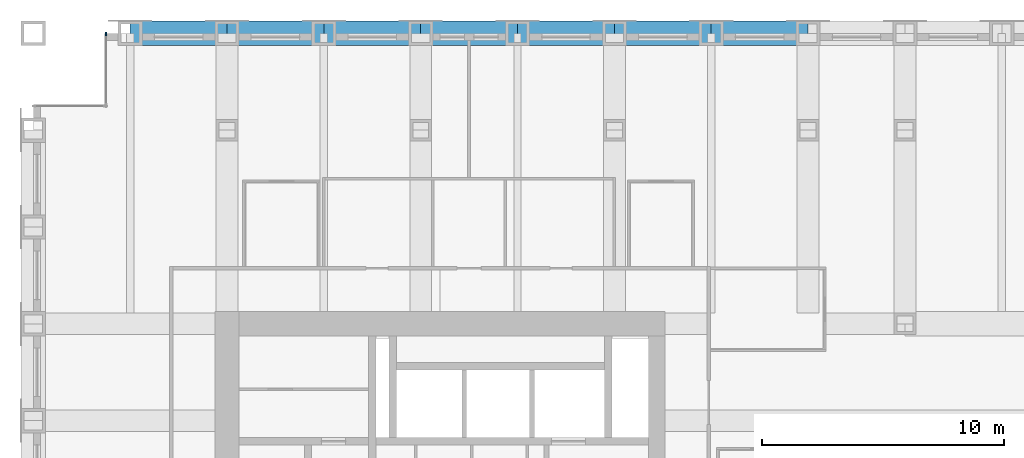
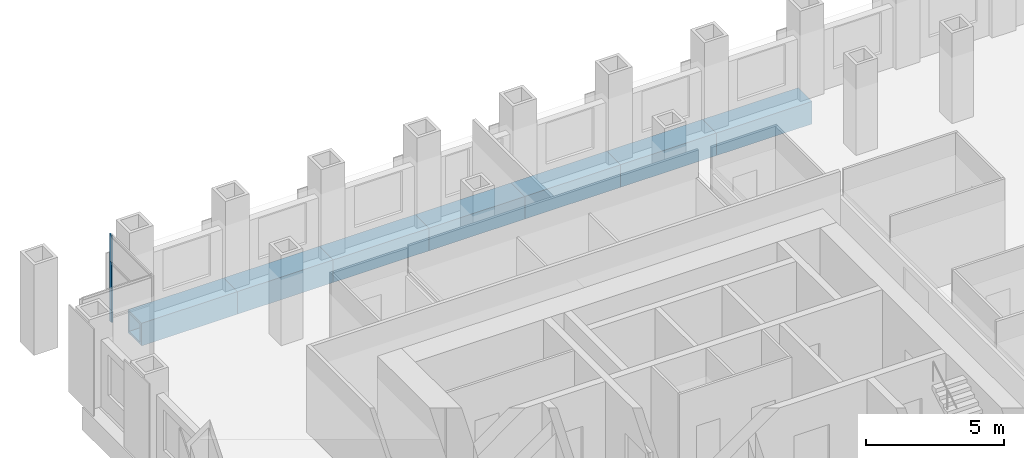
# One storey, part 8 of 17: 7 beams, 2 members, 2 elements without a shape of their own.
"""IFC4 building model written with IfcOpenShell, lengths in metres."""

from ifc_helpers import new_model, si_unit, direction, frame, origin, origin_2d, place, context, subcontext, project, spatial, rectangle, hollow_rectangle, extrude, material, material_profile, profile_set, type_object, element, aggregate, save


model = new_model("IFC4")

# Units and contexts
model_context = context("Model", 3, precision=1e-05, world=origin(), true_north=direction((0.0, 1.0)))
body_context = subcontext(model_context, "Body", "Model", "MODEL_VIEW")
ifc_project = project(units=[si_unit("LENGTHUNIT", "METRE"), si_unit("AREAUNIT", "SQUARE_METRE"), si_unit("VOLUMEUNIT", "CUBIC_METRE"), si_unit("PLANEANGLEUNIT", "RADIAN"), si_unit("MASSUNIT", "GRAM", prefix="KILO")], contexts=[model_context])

# Site, building, storey
site_placement = place(None, origin())
site = spatial("IfcSite", under=ifc_project, at=site_placement, CompositionType="ELEMENT")
building_placement = place(site_placement, origin())
building = spatial("IfcBuilding", under=site, at=building_placement, Name="Rimbunsela Tower", CompositionType="ELEMENT")
storey_placement = place(building_placement, frame((0.0, 0.0, 101.39990234375)))
storey = spatial("IfcBuildingStorey", under=building, at=storey_placement, Name="L24", CompositionType="ELEMENT", Elevation=101.39990234375)

# Beams
ifc_material_1 = material(Name="Steel BJ 55 (fy 410 MPa)", Category="steel")
ifc_material_profile_1 = material_profile(ifc_material_1, hollow_rectangle(XDim=1.0, YDim=1.0, WallThickness=0.10009765625, at=origin_2d()), Name="BOX 1000x1000x100")
ifc_profile_set_1 = profile_set([ifc_material_profile_1], Name="Steel BJ 55 (fy 410 MPa)")
beam_type = type_object("IfcBeamType", Name="Beam BOX 1000x1000x100", PredefinedType="BEAM", material=ifc_profile_set_1)
for number, where, z_axis, x_axis, name in (
    (1, (14.0, 48.0, -0.64990234375), (1.0, 0.0, 0.0), (0.0, 1.0, 0.0), "Beam B3 L24"),
    (2, (18.0, 48.0, -0.64990234375), (1.0, 0.0, 0.0), (0.0, 1.0, 0.0), "Beam B3 L24"),
    (3, (22.0, 48.0, -0.64990234375), (1.0, 0.0, 0.0), (0.0, 1.0, 0.0), "Beam B3 L24"),
    (4, (26.0, 48.0, -0.64990234375), (1.0, 0.0, 0.0), (0.0, 1.0, 0.0), "Beam B3 L24"),
    (5, (30.0, 48.0, -0.64990234375), (1.0, 0.0, 0.0), (0.0, 1.0, 0.0), "Beam B3 L24"),
    (6, (34.0, 48.0, -0.64990234375), (1.0, 0.0, 0.0), (0.0, 1.0, 0.0), "Beam B3 L24"),
    (7, (38.0, 48.0, -0.64990234375), (1.0, 0.0, 0.0), (0.0, 1.0, 0.0), "Beam B3 L24"),
):
    element("IfcBeam", number, at=place(storey_placement, frame(where, z_axis=z_axis, x_axis=x_axis)), inside=storey, type_object=beam_type, Name=name, PredefinedType="BEAM", context=body_context, shape_type="SweptSolid", body=[
        extrude(hollow_rectangle(XDim=1.0, YDim=1.0, WallThickness=0.10009765625, at=origin_2d()), origin(), (0.0, 0.0, 1.0), 4.0),
    ])

# Curtain wall, member
ifc_material_2 = material(Name="Aluminium curtain wall", Category="aluminium")
curtain_wall_type_1 = type_object("IfcCurtainWallType", Name="Corner glazing", PredefinedType="USERDEFINED", material=ifc_material_2)
curtain_wall_1_placement = place(storey_placement, origin())
curtain_wall_1 = element("IfcCurtainWall", 8, at=curtain_wall_1_placement, inside=storey, type_object=curtain_wall_type_1, Name="Corner glazing L24", ObjectType="CORNER GLAZING", PredefinedType="USERDEFINED")
ifc_material_3 = material(Name="Aluminium mullion", Category="aluminium")
ifc_material_profile_2 = material_profile(ifc_material_3, rectangle(XDim=0.06005859375, YDim=0.159912109375, at=origin_2d()), Name="Mullion 60x160")
ifc_profile_set_2 = profile_set([ifc_material_profile_2], Name="Aluminium mullion")
member_type = type_object("IfcMemberType", Name="Curtain wall mullion 60x160", PredefinedType="MULLION", material=ifc_profile_set_2)
member_1_placement = place(storey_placement, frame((13.0, 47.969970703125, 0.0), z_axis=(0.0, 0.0, 1.0), x_axis=(1.0, 0.0, 0.0)))
member_1 = element("IfcMember", 9, at=member_1_placement, type_object=member_type, Name="CW5 mullion 1", PredefinedType="MULLION", context=body_context, shape_type="SweptSolid", body=[
    extrude(rectangle(XDim=0.06005859375, YDim=0.159912109375, at=origin_2d()), origin(), (0.0, 0.0, 1.0), 2.650146484375),
])
aggregate(curtain_wall_1, [member_1])

ifc_material_4 = material(Name="Aluminium curtain wall", Category="aluminium")
curtain_wall_type_2 = type_object("IfcCurtainWallType", Name="Spandrel wall", PredefinedType="USERDEFINED", material=ifc_material_4)
curtain_wall_2_placement = place(storey_placement, origin())
curtain_wall_2 = element("IfcCurtainWall", 10, at=curtain_wall_2_placement, inside=storey, type_object=curtain_wall_type_2, Name="Spandrel wall L24", ObjectType="SPANDREL WALL", PredefinedType="USERDEFINED")
member_2_placement = place(storey_placement, frame((13.0, 47.969970703125, 2.650146484375), z_axis=(0.0, 0.0, 1.0), x_axis=(1.0, 0.0, 0.0)))
member_2 = element("IfcMember", 11, at=member_2_placement, type_object=member_type, Name="CW7 mullion 1", PredefinedType="MULLION", context=body_context, shape_type="SweptSolid", body=[
    extrude(rectangle(XDim=0.06005859375, YDim=0.159912109375, at=origin_2d()), origin(), (0.0, 0.0, 1.0), 1.199951171875),
])
aggregate(curtain_wall_2, [member_2])

save(model, "model.ifc")
